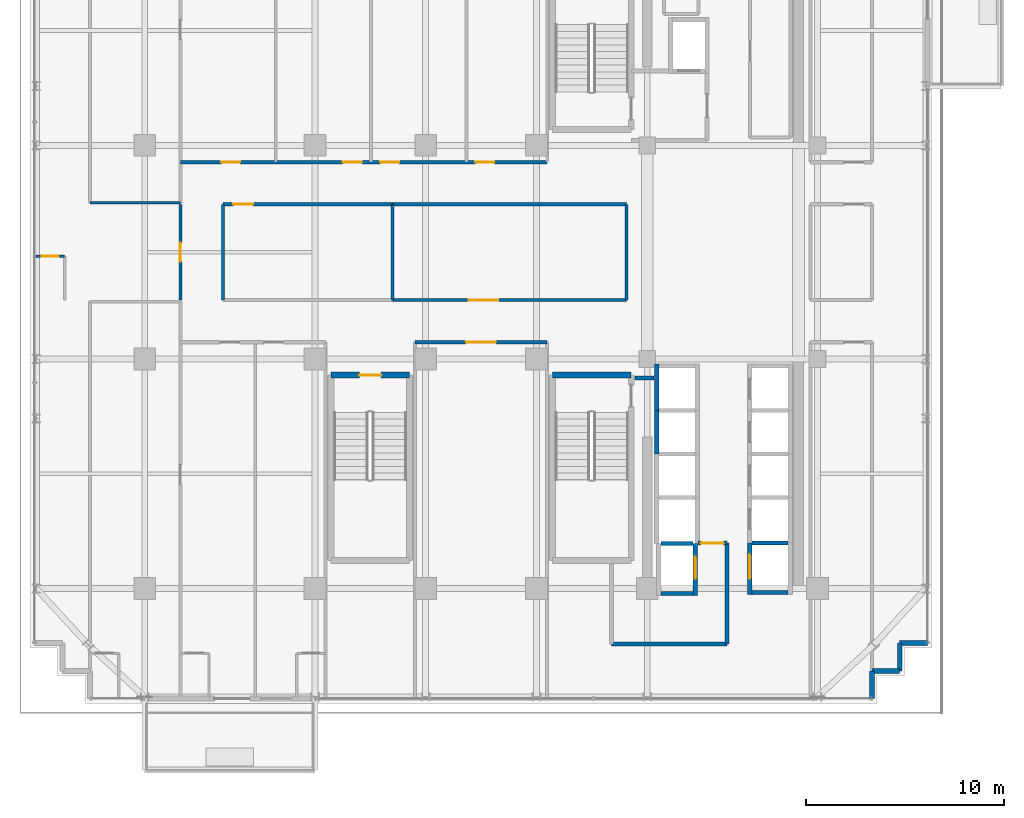
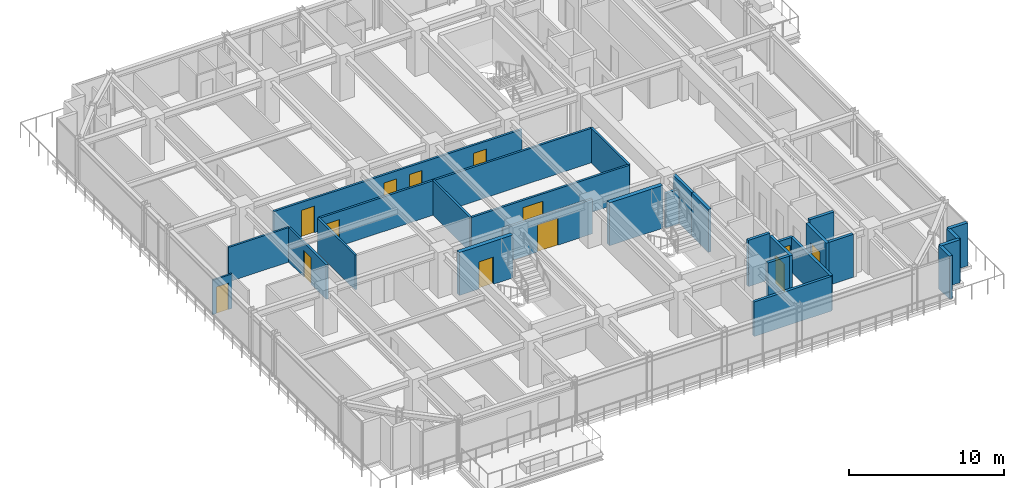
# One storey, part 26 of 33: 29 walls, 13 doors, 13 openings.
"""IFC4 building model written with IfcOpenShell, lengths in metres."""

from ifc_helpers import new_model, si_unit, direction, frame, frame_2d, origin, place, context, subcontext, project, spatial, rectangle, extrude, source, transform, mapped, material, layer, layer_set, type_object, element, fill, save


model = new_model("IFC4")

# Units and contexts
model_context = context("Model", 3, precision=1e-05, world=origin(), true_north=direction((0.0, 1.0)))
body_context = subcontext(model_context, "Body", "Model", "MODEL_VIEW")
ifc_project = project(units=[si_unit("LENGTHUNIT", "METRE"), si_unit("AREAUNIT", "SQUARE_METRE"), si_unit("VOLUMEUNIT", "CUBIC_METRE"), si_unit("PLANEANGLEUNIT", "RADIAN"), si_unit("MASSUNIT", "GRAM", prefix="KILO")], contexts=[model_context])

# Site, building, storey
site_placement = place(None, origin())
site = spatial("IfcSite", under=ifc_project, at=site_placement, CompositionType="ELEMENT")
building_placement = place(site_placement, origin())
building = spatial("IfcBuilding", under=site, at=building_placement, Name="Nahalor Promenade Grand Hotel", CompositionType="ELEMENT")
storey_placement = place(building_placement, frame((0.0, 0.0, 149.0)))
storey = spatial("IfcBuildingStorey", under=building, at=storey_placement, Name="L37", CompositionType="ELEMENT", Elevation=149.0)

# Wall
ifc_material_1 = material(Name="Concrete B-50 (C40/50)", Category="concrete")
ifc_layer_1 = layer(ifc_material_1, 0.300048828125)
ifc_layer_set_1 = layer_set([ifc_layer_1], Name="Concrete B-50 (C40/50)")
wall_type_1 = type_object("IfcWallType", Name="Wall-ShaftShear-300", PredefinedType="SHEAR", material=ifc_layer_set_1)
shared_shape_1 = source(origin(), body_context, "Body", "SweptSolid", [
    extrude(rectangle(XDim=3.97998046875, YDim=0.300048828125, at=frame_2d((1.989990234375, 0.0))), origin(), (0.0, 0.0, 1.0), 3.389892578125),
])
wall_1_placement = place(storey_placement, frame((3.610107421875, -6.2099609375, 0.0), z_axis=(0.0, 0.0, 1.0), x_axis=(1.0, 0.0, 0.0)))
element("IfcWall", 1, at=wall_1_placement, inside=storey, type_object=wall_type_1, Name="L37 Exit Stair ST2 Shaft Wall N", PredefinedType="SHEAR", context=body_context, shape_type="MappedRepresentation", body=[
    mapped(shared_shape_1, transform((0.0, 0.0, 0.0), scale=1.0)),
])

# Wall, opening, door
wall_2_placement = place(storey_placement, frame((-7.590087890625, -6.2099609375, 0.0), z_axis=(0.0, 0.0, 1.0), x_axis=(1.0, 0.0, 0.0)))
wall_2 = element("IfcWall", 2, at=wall_2_placement, inside=storey, type_object=wall_type_1, Name="L37 Exit Stair ST3 Shaft Wall N", PredefinedType="SHEAR", context=body_context, shape_type="MappedRepresentation", body=[
    mapped(shared_shape_1, transform((0.0, 0.0, 0.0), scale=1.0)),
])
opening_1_placement = place(wall_2_placement, frame((1.43994140625, 0.0, 0.0)))
opening_1 = element("IfcOpeningElement", 3, at=opening_1_placement, cuts=wall_2, Name="Opening D-ST1", PredefinedType="OPENING", context=body_context, shape_type="SweptSolid", body=[
    extrude(rectangle(XDim=1.10009765625, YDim=2.14990234375, at=frame_2d((0.550048828125, 1.074951171875))), frame((0.0, 0.159912109375, 0.0), z_axis=(0.0, -1.0, 0.0), x_axis=(1.0, 0.0, 0.0)), (0.0, 0.0, 1.0), 0.320068359375),
])
ifc_material_2 = material(Name="Steel S355JR", Category="steel")
door_type_1 = type_object("IfcDoorType", Name="Door-StairFire-1100", OperationType="NOTDEFINED", PredefinedType="DOOR", material=ifc_material_2)
shared_shape_2 = source(origin(), body_context, "Body", "SweptSolid", [
    extrude(rectangle(XDim=1.10009765625, YDim=2.14990234375, at=frame_2d((0.550048828125, 1.074951171875))), frame((0.0, 0.02490234375, 0.0), z_axis=(0.0, -1.0, 0.0), x_axis=(1.0, 0.0, 0.0)), (0.0, 0.0, 1.0), 0.050048828125),
])
door_1_placement = place(opening_1_placement, frame((1.10009765625, 0.0, 0.0), z_axis=(0.0, 0.0, 1.0), x_axis=(-1.0, 0.0, 0.0)))
door_1 = element("IfcDoor", 4, at=door_1_placement, inside=storey, type_object=door_type_1, Name="DR-STAIR-ST3-L37", OperationType="SINGLE_SWING_RIGHT", OverallHeight=2.14990234375, OverallWidth=1.10009765625, PredefinedType="DOOR", context=body_context, shape_type="MappedRepresentation", body=[
    mapped(shared_shape_2, transform((0.0, 0.0, 0.0), scale=1.0)),
])
fill(opening_1, door_1)

# Walls
ifc_layer_2 = layer(ifc_material_1, 0.219970703125)
ifc_layer_set_2 = layer_set([ifc_layer_2], Name="Concrete B-50 (C40/50)")
wall_type_2 = type_object("IfcWallType", Name="Wall-LiftShaft-220", PredefinedType="SHEAR", material=ifc_layer_set_2)
shared_shape_3 = source(origin(), body_context, "Body", "SweptSolid", [
    extrude(rectangle(XDim=1.820068359375, YDim=0.219970703125, at=frame_2d((0.91015625, 0.0))), origin(), (0.0, 0.0, 1.0), 3.64990234375),
])
wall_3_placement = place(storey_placement, frame((13.68994140625, -14.699951171875, 0.0), z_axis=(0.0, 0.0, 1.0), x_axis=(1.0, 0.0, 0.0)))
element("IfcWall", 5, at=wall_3_placement, inside=storey, type_object=wall_type_2, Name="L37 Lift SV2 Hoistway Wall N", PredefinedType="SHEAR", context=body_context, shape_type="MappedRepresentation", body=[
    mapped(shared_shape_3, transform((0.0, 0.0, 0.0), scale=1.0)),
])
shared_shape_4 = source(origin(), body_context, "Body", "SweptSolid", [
    extrude(rectangle(XDim=2.360107421875, YDim=0.219970703125, at=frame_2d((1.18017578125, 0.0))), origin(), (0.0, 0.0, 1.0), 3.389892578125),
])
wall_4_placement = place(storey_placement, frame((8.8798828125, -8.0, 0.0), z_axis=(0.0, 0.0, 1.0), x_axis=(0.0, 1.0, 0.0)))
element("IfcWall", 6, at=wall_4_placement, inside=storey, type_object=wall_type_2, Name="L37 Lift PL9 Hoistway Wall W", PredefinedType="SHEAR", context=body_context, shape_type="MappedRepresentation", body=[
    mapped(shared_shape_4, transform((0.0, 0.0, 0.0), scale=1.0)),
])
shared_shape_5 = source(origin(), body_context, "Body", "SweptSolid", [
    extrude(rectangle(XDim=1.820068359375, YDim=0.219970703125, at=frame_2d((0.91015625, 0.0))), origin(), (0.0, 0.0, 1.0), 3.389892578125),
])
wall_5_placement = place(storey_placement, frame((13.68994140625, -17.199951171875, 0.0), z_axis=(0.0, 0.0, 1.0), x_axis=(1.0, 0.0, 0.0)))
element("IfcWall", 7, at=wall_5_placement, inside=storey, type_object=wall_type_2, Name="L37 Lift SV2 Hoistway Wall S", PredefinedType="SHEAR", context=body_context, shape_type="MappedRepresentation", body=[
    mapped(shared_shape_5, transform((0.0, 0.0, 0.0), scale=1.0)),
])
shared_shape_6 = source(origin(), body_context, "Body", "SweptSolid", [
    extrude(rectangle(XDim=2.199951171875, YDim=0.219970703125, at=frame_2d((1.10009765625, 0.0))), origin(), (0.0, 0.0, 1.0), 3.389892578125),
])
wall_6_placement = place(storey_placement, frame((8.8798828125, -10.199951171875, 0.0), z_axis=(0.0, 0.0, 1.0), x_axis=(0.0, 1.0, 0.0)))
element("IfcWall", 8, at=wall_6_placement, inside=storey, type_object=wall_type_2, Name="L37 Lift PL10 Hoistway Wall W", PredefinedType="SHEAR", context=body_context, shape_type="MappedRepresentation", body=[
    mapped(shared_shape_6, transform((0.0, 0.0, 0.0), scale=1.0)),
])
shared_shape_7 = source(origin(), body_context, "Body", "SweptSolid", [
    extrude(rectangle(XDim=1.619873046875, YDim=0.219970703125, at=frame_2d((0.81005859375, 0.0))), origin(), (0.0, 0.0, 1.0), 3.64990234375),
])
wall_7_placement = place(storey_placement, frame((9.090087890625, -14.72509765625, 0.0), z_axis=(0.0, 0.0, 1.0), x_axis=(1.0, 0.0, 0.0)))
element("IfcWall", 9, at=wall_7_placement, inside=storey, type_object=wall_type_2, Name="L37 Lift FL2 Hoistway Wall N", PredefinedType="SHEAR", context=body_context, shape_type="MappedRepresentation", body=[
    mapped(shared_shape_7, transform((0.0, 0.0, 0.0), scale=1.0)),
])

# Wall, opening, door
shared_shape_8 = source(origin(), body_context, "Body", "SweptSolid", [
    extrude(rectangle(XDim=2.635009765625, YDim=0.219970703125, at=frame_2d((1.3173828125, 0.0))), origin(), (0.0, 0.0, 1.0), 3.389892578125),
])
wall_8_placement = place(storey_placement, frame((10.820068359375, -17.360107421875, 0.0), z_axis=(0.0, 0.0, 1.0), x_axis=(0.0, 1.0, 0.0)))
wall_8 = element("IfcWall", 10, at=wall_8_placement, inside=storey, type_object=wall_type_2, Name="L37 Lift FL2 Hoistway Wall E", PredefinedType="SHEAR", context=body_context, shape_type="MappedRepresentation", body=[
    mapped(shared_shape_8, transform((0.0, 0.0, 0.0), scale=1.0)),
])
opening_2_placement = place(wall_8_placement, frame((0.860107421875, 0.0, 0.0)))
opening_2 = element("IfcOpeningElement", 11, at=opening_2_placement, cuts=wall_8, Name="Opening LD-02", PredefinedType="OPENING", context=body_context, shape_type="SweptSolid", body=[
    extrude(rectangle(XDim=1.10009765625, YDim=2.199951171875, at=frame_2d((0.550048828125, 1.10009765625))), frame((0.0, 0.119873046875, 0.0), z_axis=(0.0, -1.0, 0.0), x_axis=(1.0, 0.0, 0.0)), (0.0, 0.0, 1.0), 0.239990234375),
])
door_type_2 = type_object("IfcDoorType", Name="Door-LiftFF-1100", OperationType="DOUBLE_DOOR_SLIDING", PredefinedType="DOOR", material=ifc_material_2)
shared_shape_9 = source(origin(), body_context, "Body", "SweptSolid", [
    extrude(rectangle(XDim=1.10009765625, YDim=2.199951171875, at=frame_2d((0.550048828125, 1.10009765625))), frame((0.0, 0.02490234375, 0.0), z_axis=(0.0, -1.0, 0.0), x_axis=(1.0, 0.0, 0.0)), (0.0, 0.0, 1.0), 0.050048828125),
])
door_2_placement = place(opening_2_placement, frame((1.10009765625, 0.0, 0.0), z_axis=(0.0, 0.0, 1.0), x_axis=(-1.0, 0.0, 0.0)))
door_2 = element("IfcDoor", 12, at=door_2_placement, inside=storey, type_object=door_type_2, Name="DR-LIFT-FL2-L37", OperationType="DOUBLE_DOOR_SLIDING", OverallHeight=2.199951171875, OverallWidth=1.10009765625, PredefinedType="DOOR", context=body_context, shape_type="MappedRepresentation", body=[
    mapped(shared_shape_9, transform((0.0, 0.0, 0.0), scale=1.0)),
])
fill(opening_2, door_2)

# Wall
shared_shape_10 = source(origin(), body_context, "Body", "SweptSolid", [
    extrude(rectangle(XDim=1.619873046875, YDim=0.219970703125, at=frame_2d((0.81005859375, 0.0))), origin(), (0.0, 0.0, 1.0), 3.389892578125),
])
wall_9_placement = place(storey_placement, frame((9.090087890625, -17.25, 0.0), z_axis=(0.0, 0.0, 1.0), x_axis=(1.0, 0.0, 0.0)))
element("IfcWall", 13, at=wall_9_placement, inside=storey, type_object=wall_type_2, Name="L37 Lift FL2 Hoistway Wall S", PredefinedType="SHEAR", context=body_context, shape_type="MappedRepresentation", body=[
    mapped(shared_shape_10, transform((0.0, 0.0, 0.0), scale=1.0)),
])

# Wall, opening, door
shared_shape_11 = source(origin(), body_context, "Body", "SweptSolid", [
    extrude(rectangle(XDim=2.610107421875, YDim=0.219970703125, at=frame_2d((1.30517578125, 0.0))), origin(), (0.0, 0.0, 1.0), 3.389892578125),
])
wall_10_placement = place(storey_placement, frame((13.580078125, -17.31005859375, 0.0), z_axis=(0.0, 0.0, 1.0), x_axis=(0.0, 1.0, 0.0)))
wall_10 = element("IfcWall", 14, at=wall_10_placement, inside=storey, type_object=wall_type_2, Name="L37 Lift SV2 Hoistway Wall W", PredefinedType="SHEAR", context=body_context, shape_type="MappedRepresentation", body=[
    mapped(shared_shape_11, transform((0.0, 0.0, 0.0), scale=1.0)),
])
opening_3_placement = place(wall_10_placement, frame((0.81005859375, 0.0, 0.0)))
opening_3 = element("IfcOpeningElement", 15, at=opening_3_placement, cuts=wall_10, Name="Opening LD-03", PredefinedType="OPENING", context=body_context, shape_type="SweptSolid", body=[
    extrude(rectangle(XDim=1.199951171875, YDim=2.199951171875, at=frame_2d((0.60009765625, 1.10009765625))), frame((0.0, 0.119873046875, 0.0), z_axis=(0.0, -1.0, 0.0), x_axis=(1.0, 0.0, 0.0)), (0.0, 0.0, 1.0), 0.239990234375),
])
door_type_3 = type_object("IfcDoorType", Name="Door-LiftService-1200", OperationType="DOUBLE_DOOR_SLIDING", PredefinedType="DOOR", material=ifc_material_2)
shared_shape_12 = source(origin(), body_context, "Body", "SweptSolid", [
    extrude(rectangle(XDim=1.199951171875, YDim=2.199951171875, at=frame_2d((0.60009765625, 1.10009765625))), frame((0.0, 0.02490234375, 0.0), z_axis=(0.0, -1.0, 0.0), x_axis=(1.0, 0.0, 0.0)), (0.0, 0.0, 1.0), 0.050048828125),
])
door_3_placement = place(opening_3_placement, origin())
door_3 = element("IfcDoor", 16, at=door_3_placement, inside=storey, type_object=door_type_3, Name="DR-LIFT-SV2-L37", OperationType="DOUBLE_DOOR_SLIDING", OverallHeight=2.199951171875, OverallWidth=1.199951171875, PredefinedType="DOOR", context=body_context, shape_type="MappedRepresentation", body=[
    mapped(shared_shape_12, transform((0.0, 0.0, 0.0), scale=1.0)),
])
fill(opening_3, door_3)

# Walls
ifc_material_3 = material(Name="Concrete B-40 (C32/40)", Category="concrete")
ifc_layer_3 = layer(ifc_material_3, 0.25)
ifc_layer_set_3 = layer_set([ifc_layer_3], Name="Concrete B-40 (C32/40)")
wall_type_3 = type_object("IfcWallType", Name="Wall-BronzePier-250", PredefinedType="STANDARD", material=ifc_layer_set_3)
shared_shape_13 = source(origin(), body_context, "Body", "SweptSolid", [
    extrude(rectangle(XDim=1.400146484375, YDim=0.25, at=frame_2d((0.7001953125, 0.0))), origin(), (0.0, 0.0, 1.0), 3.389892578125),
])
for number, where, z_axis, x_axis, name in (
    (17, (19.760009765625, -22.56005859375, 0.0), (0.0, 0.0, 1.0), (0.0, 1.0, 0.0), "W-L37-SR-01"),
    (18, (21.159912109375, -19.760009765625, 0.0), (0.0, 0.0, 1.0), (1.0, 0.0, 0.0), "W-L37-SR-04"),
):
    element("IfcWall", number, at=place(storey_placement, frame(where, z_axis=z_axis, x_axis=x_axis)), inside=storey, type_object=wall_type_3, Name=name, PredefinedType="STANDARD", context=body_context, shape_type="MappedRepresentation", body=[
        mapped(shared_shape_13, transform((0.0, 0.0, 0.0), scale=1.0)),
    ])
shared_shape_14 = source(origin(), body_context, "Body", "SweptSolid", [
    extrude(rectangle(XDim=1.39990234375, YDim=0.25, at=frame_2d((0.699951171875, 0.0))), origin(), (0.0, 0.0, 1.0), 3.389892578125),
])
for number, where, z_axis, x_axis, name in (
    (19, (19.760009765625, -21.159912109375, 0.0), (0.0, 0.0, 1.0), (1.0, 0.0, 0.0), "W-L37-SR-02"),
    (20, (21.159912109375, -21.159912109375, 0.0), (0.0, 0.0, 1.0), (0.0, 1.0, 0.0), "W-L37-SR-03"),
):
    element("IfcWall", number, at=place(storey_placement, frame(where, z_axis=z_axis, x_axis=x_axis)), inside=storey, type_object=wall_type_3, Name=name, PredefinedType="STANDARD", context=body_context, shape_type="MappedRepresentation", body=[
        mapped(shared_shape_14, transform((0.0, 0.0, 0.0), scale=1.0)),
    ])
ifc_layer_4 = layer(ifc_material_3, 0.199951171875)
ifc_layer_set_4 = layer_set([ifc_layer_4], Name="Concrete B-40 (C32/40)")
wall_type_4 = type_object("IfcWallType", Name="Wall-PartFire-200", PredefinedType="PARTITIONING", material=ifc_layer_set_4)
shared_shape_15 = source(origin(), body_context, "Body", "SweptSolid", [
    extrude(rectangle(XDim=5.81982421875, YDim=0.199951171875, at=frame_2d((2.909912109375, 0.0))), origin(), (0.0, 0.0, 1.0), 2.72998046875),
])
wall_11_placement = place(storey_placement, frame((6.60009765625, -19.800048828125, 0.0), z_axis=(0.0, 0.0, 1.0), x_axis=(1.0, 0.0, 0.0)))
element("IfcWall", 21, at=wall_11_placement, inside=storey, type_object=wall_type_4, Name="W-L37-FF2-S1", PredefinedType="PARTITIONING", context=body_context, shape_type="MappedRepresentation", body=[
    mapped(shared_shape_15, transform((0.0, 0.0, 0.0), scale=1.0)),
])
shared_shape_16 = source(origin(), body_context, "Body", "SweptSolid", [
    extrude(rectangle(XDim=5.10009765625, YDim=0.199951171875, at=frame_2d((2.550048828125, 0.0))), origin(), (0.0, 0.0, 1.0), 2.72998046875),
])
wall_12_placement = place(storey_placement, frame((12.419921875, -19.800048828125, 0.0), z_axis=(0.0, 0.0, 1.0), x_axis=(0.0, 1.0, 0.0)))
element("IfcWall", 22, at=wall_12_placement, inside=storey, type_object=wall_type_4, Name="W-L37-FF2-E", PredefinedType="PARTITIONING", context=body_context, shape_type="MappedRepresentation", body=[
    mapped(shared_shape_16, transform((0.0, 0.0, 0.0), scale=1.0)),
])

# Wall, opening, door
shared_shape_17 = source(origin(), body_context, "Body", "SweptSolid", [
    extrude(rectangle(XDim=1.4599609375, YDim=0.199951171875, at=frame_2d((0.72998046875, 0.0))), origin(), (0.0, 0.0, 1.0), 2.72998046875),
])
wall_13_placement = place(storey_placement, frame((10.9599609375, -14.699951171875, 0.0), z_axis=(0.0, 0.0, 1.0), x_axis=(1.0, 0.0, 0.0)))
wall_13 = element("IfcWall", 23, at=wall_13_placement, inside=storey, type_object=wall_type_4, Name="W-L37-FF2-N1", PredefinedType="PARTITIONING", context=body_context, shape_type="MappedRepresentation", body=[
    mapped(shared_shape_17, transform((0.0, 0.0, 0.0), scale=1.0)),
])
opening_4_placement = place(wall_13_placement, frame((0.14501953125, 0.0, 0.0)))
opening_4 = element("IfcOpeningElement", 24, at=opening_4_placement, cuts=wall_13, Name="Opening D-FF1", PredefinedType="OPENING", context=body_context, shape_type="SweptSolid", body=[
    extrude(rectangle(XDim=1.14990234375, YDim=2.14990234375, at=frame_2d((0.574951171875, 1.074951171875))), frame((0.0, 0.10986328125, 0.0), z_axis=(0.0, -1.0, 0.0), x_axis=(1.0, 0.0, 0.0)), (0.0, 0.0, 1.0), 0.219970703125),
])
door_type_4 = type_object("IfcDoorType", Name="Door-FFLobby-1150", OperationType="NOTDEFINED", PredefinedType="DOOR", material=ifc_material_2)
shared_shape_18 = source(origin(), body_context, "Body", "SweptSolid", [
    extrude(rectangle(XDim=1.14990234375, YDim=2.14990234375, at=frame_2d((0.574951171875, 1.074951171875))), frame((0.0, 0.02490234375, 0.0), z_axis=(0.0, -1.0, 0.0), x_axis=(1.0, 0.0, 0.0)), (0.0, 0.0, 1.0), 0.050048828125),
])
door_4_placement = place(opening_4_placement, origin())
door_4 = element("IfcDoor", 25, at=door_4_placement, inside=storey, type_object=door_type_4, Name="DR-L37-FFL2", OperationType="SINGLE_SWING_RIGHT", OverallHeight=2.14990234375, OverallWidth=1.14990234375, PredefinedType="DOOR", context=body_context, shape_type="MappedRepresentation", body=[
    mapped(shared_shape_18, transform((0.0, 0.0, 0.0), scale=1.0)),
])
fill(opening_4, door_4)

# Walls
shared_shape_19 = source(origin(), body_context, "Body", "SweptSolid", [
    extrude(rectangle(XDim=0.969970703125, YDim=0.199951171875, at=frame_2d((0.48486328125, 0.0))), origin(), (0.0, 0.0, 1.0), 2.72998046875),
])
wall_14_placement = place(storey_placement, frame((7.77001953125, -6.35009765625, 0.0), z_axis=(0.0, 0.0, 1.0), x_axis=(1.0, 0.0, 0.0)))
element("IfcWall", 26, at=wall_14_placement, inside=storey, type_object=wall_type_4, Name="W-L37-FF2-N2", PredefinedType="PARTITIONING", context=body_context, shape_type="MappedRepresentation", body=[
    mapped(shared_shape_19, transform((0.0, 0.0, 0.0), scale=1.0)),
])
ifc_material_4 = material(Name="Acoustic Mineral Gypsum", Category="gypsum")
ifc_layer_5 = layer(ifc_material_4, 0.139892578125)
ifc_layer_set_5 = layer_set([ifc_layer_5], Name="Acoustic Mineral Gypsum")
wall_type_5 = type_object("IfcWallType", Name="Wall-PartSuite-140", PredefinedType="PARTITIONING", material=ifc_layer_set_5)
shared_shape_20 = source(origin(), body_context, "Body", "SweptSolid", [
    extrude(rectangle(XDim=4.56005859375, YDim=0.139892578125, at=frame_2d((2.280029296875, 0.0))), origin(), (0.0, 0.0, 1.0), 2.72998046875),
])
wall_15_placement = place(storey_placement, frame((-19.760009765625, 2.5, 0.0), z_axis=(0.0, 0.0, 1.0), x_axis=(1.0, 0.0, 0.0)))
element("IfcWall", 27, at=wall_15_placement, inside=storey, type_object=wall_type_5, Name="W-L37-ZNW-S", PredefinedType="PARTITIONING", context=body_context, shape_type="MappedRepresentation", body=[
    mapped(shared_shape_20, transform((0.0, 0.0, 0.0), scale=1.0)),
])

# Wall, opening, door
ifc_layer_6 = layer(ifc_material_4, 0.1201171875)
ifc_layer_set_6 = layer_set([ifc_layer_6], Name="Acoustic Mineral Gypsum")
wall_type_6 = type_object("IfcWallType", Name="Wall-PartBath-120", PredefinedType="PARTITIONING", material=ifc_layer_set_6)
shared_shape_21 = source(origin(), body_context, "Body", "SweptSolid", [
    extrude(rectangle(XDim=1.449951171875, YDim=0.1201171875, at=frame_2d((0.72509765625, 0.0))), origin(), (0.0, 0.0, 1.0), 2.72998046875),
])
wall_16_placement = place(storey_placement, frame((-22.5, -0.199951171875, 0.0), z_axis=(0.0, 0.0, 1.0), x_axis=(1.0, 0.0, 0.0)))
wall_16 = element("IfcWall", 28, at=wall_16_placement, inside=storey, type_object=wall_type_6, Name="W-L37-W1-BH", PredefinedType="PARTITIONING", context=body_context, shape_type="MappedRepresentation", body=[
    mapped(shared_shape_21, transform((0.0, 0.0, 0.0), scale=1.0)),
])
opening_5_placement = place(wall_16_placement, frame((0.284912109375, 0.0, 0.0)))
opening_5 = element("IfcOpeningElement", 29, at=opening_5_placement, cuts=wall_16, Name="Opening D-03", PredefinedType="OPENING", context=body_context, shape_type="SweptSolid", body=[
    extrude(rectangle(XDim=0.8798828125, YDim=2.10009765625, at=frame_2d((0.43994140625, 1.050048828125))), frame((0.0, 0.070068359375, 0.0), z_axis=(0.0, -1.0, 0.0), x_axis=(1.0, 0.0, 0.0)), (0.0, 0.0, 1.0), 0.14013671875),
])
ifc_material_5 = material(Name="Fire-Rated Timber Composite", Category="wood")
door_type_5 = type_object("IfcDoorType", Name="Door-BathSwing-880", OperationType="NOTDEFINED", PredefinedType="DOOR", material=ifc_material_5)
shared_shape_22 = source(origin(), body_context, "Body", "SweptSolid", [
    extrude(rectangle(XDim=0.8798828125, YDim=2.10009765625, at=frame_2d((0.43994140625, 1.050048828125))), frame((0.0, 0.02490234375, 0.0), z_axis=(0.0, -1.0, 0.0), x_axis=(1.0, 0.0, 0.0)), (0.0, 0.0, 1.0), 0.050048828125),
])
door_5_placement = place(opening_5_placement, frame((0.8798828125, 0.0, 0.0), z_axis=(0.0, 0.0, 1.0), x_axis=(-1.0, 0.0, 0.0)))
door_5 = element("IfcDoor", 30, at=door_5_placement, inside=storey, type_object=door_type_5, Name="DR-L37-W1-BATH", OperationType="SINGLE_SWING_LEFT", OverallHeight=2.10009765625, OverallWidth=0.8798828125, PredefinedType="DOOR", context=body_context, shape_type="MappedRepresentation", body=[
    mapped(shared_shape_22, transform((0.0, 0.0, 0.0), scale=1.0)),
])
fill(opening_5, door_5)

# Wall, openings, doors
ifc_layer_7 = layer(ifc_material_4, 0.159912109375)
ifc_layer_set_7 = layer_set([ifc_layer_7], Name="Acoustic Mineral Gypsum")
wall_type_7 = type_object("IfcWallType", Name="Wall-PartCorridor-160", PredefinedType="PARTITIONING", material=ifc_layer_set_7)
shared_shape_23 = source(origin(), body_context, "Body", "SweptSolid", [
    extrude(rectangle(XDim=18.5400390625, YDim=0.159912109375, at=frame_2d((9.27001953125, 0.0))), origin(), (0.0, 0.0, 1.0), 2.72998046875),
])
wall_17_placement = place(storey_placement, frame((-15.199951171875, 4.550048828125, 0.0), z_axis=(0.0, 0.0, 1.0), x_axis=(1.0, 0.0, 0.0)))
wall_17 = element("IfcWall", 31, at=wall_17_placement, inside=storey, type_object=wall_type_7, Name="W-L37-CORR-N", PredefinedType="PARTITIONING", context=body_context, shape_type="MappedRepresentation", body=[
    mapped(shared_shape_23, transform((0.0, 0.0, 0.0), scale=1.0)),
])
opening_6_placement = place(wall_17_placement, frame((2.068115234375, 0.0, 0.0)))
opening_6 = element("IfcOpeningElement", 32, at=opening_6_placement, cuts=wall_17, Name="Opening D-01", PredefinedType="OPENING", context=body_context, shape_type="SweptSolid", body=[
    extrude(rectangle(XDim=0.949951171875, YDim=2.10009765625, at=frame_2d((0.47509765625, 1.050048828125))), frame((0.0, 0.08984375, 0.0), z_axis=(0.0, -1.0, 0.0), x_axis=(1.0, 0.0, 0.0)), (0.0, 0.0, 1.0), 0.179931640625),
])
opening_7_placement = place(wall_17_placement, frame((8.218994140625, 0.0, 0.0)))
opening_7 = element("IfcOpeningElement", 33, at=opening_7_placement, cuts=wall_17, Name="Opening D-01", PredefinedType="OPENING", context=body_context, shape_type="SweptSolid", body=[
    extrude(rectangle(XDim=0.949951171875, YDim=2.10009765625, at=frame_2d((0.47509765625, 1.050048828125))), frame((0.0, 0.08984375, 0.0), z_axis=(0.0, -1.0, 0.0), x_axis=(1.0, 0.0, 0.0)), (0.0, 0.0, 1.0), 0.179931640625),
])
opening_8_placement = place(wall_17_placement, frame((10.113037109375, 0.0, 0.0)))
opening_8 = element("IfcOpeningElement", 34, at=opening_8_placement, cuts=wall_17, Name="Opening D-01", PredefinedType="OPENING", context=body_context, shape_type="SweptSolid", body=[
    extrude(rectangle(XDim=0.949951171875, YDim=2.10009765625, at=frame_2d((0.47509765625, 1.050048828125))), frame((0.0, 0.08984375, 0.0), z_axis=(0.0, -1.0, 0.0), x_axis=(1.0, 0.0, 0.0)), (0.0, 0.0, 1.0), 0.179931640625),
])
opening_9_placement = place(wall_17_placement, frame((14.916015625, 0.0, 0.0)))
opening_9 = element("IfcOpeningElement", 35, at=opening_9_placement, cuts=wall_17, Name="Opening D-01", PredefinedType="OPENING", context=body_context, shape_type="SweptSolid", body=[
    extrude(rectangle(XDim=0.949951171875, YDim=2.10009765625, at=frame_2d((0.47509765625, 1.050048828125))), frame((0.0, 0.08984375, 0.0), z_axis=(0.0, -1.0, 0.0), x_axis=(1.0, 0.0, 0.0)), (0.0, 0.0, 1.0), 0.179931640625),
])
door_type_6 = type_object("IfcDoorType", Name="Door-GuestEntry-950", OperationType="NOTDEFINED", PredefinedType="DOOR", material=ifc_material_5)
shared_shape_24 = source(origin(), body_context, "Body", "SweptSolid", [
    extrude(rectangle(XDim=0.949951171875, YDim=2.10009765625, at=frame_2d((0.47509765625, 1.050048828125))), frame((0.0, 0.02490234375, 0.0), z_axis=(0.0, -1.0, 0.0), x_axis=(1.0, 0.0, 0.0)), (0.0, 0.0, 1.0), 0.050048828125),
])
door_6_placement = place(opening_6_placement, origin())
door_6 = element("IfcDoor", 36, at=door_6_placement, inside=storey, type_object=door_type_6, Name="DR-L37-N1-ENT", OperationType="SINGLE_SWING_RIGHT", OverallHeight=2.10009765625, OverallWidth=0.949951171875, PredefinedType="DOOR", context=body_context, shape_type="MappedRepresentation", body=[
    mapped(shared_shape_24, transform((0.0, 0.0, 0.0), scale=1.0)),
])
fill(opening_6, door_6)
door_7_placement = place(opening_7_placement, origin())
door_7 = element("IfcDoor", 37, at=door_7_placement, inside=storey, type_object=door_type_6, Name="DR-L37-N2-ENT", OperationType="SINGLE_SWING_RIGHT", OverallHeight=2.10009765625, OverallWidth=0.949951171875, PredefinedType="DOOR", context=body_context, shape_type="MappedRepresentation", body=[
    mapped(shared_shape_24, transform((0.0, 0.0, 0.0), scale=1.0)),
])
fill(opening_7, door_7)
door_8_placement = place(opening_8_placement, origin())
door_8 = element("IfcDoor", 38, at=door_8_placement, inside=storey, type_object=door_type_6, Name="DR-L37-N3-ENT", OperationType="SINGLE_SWING_RIGHT", OverallHeight=2.10009765625, OverallWidth=0.949951171875, PredefinedType="DOOR", context=body_context, shape_type="MappedRepresentation", body=[
    mapped(shared_shape_24, transform((0.0, 0.0, 0.0), scale=1.0)),
])
fill(opening_8, door_8)
door_9_placement = place(opening_9_placement, origin())
door_9 = element("IfcDoor", 39, at=door_9_placement, inside=storey, type_object=door_type_6, Name="DR-L37-N4-ENT", OperationType="SINGLE_SWING_RIGHT", OverallHeight=2.10009765625, OverallWidth=0.949951171875, PredefinedType="DOOR", context=body_context, shape_type="MappedRepresentation", body=[
    mapped(shared_shape_24, transform((0.0, 0.0, 0.0), scale=1.0)),
])
fill(opening_9, door_9)

# Wall, opening, door
shared_shape_25 = source(origin(), body_context, "Body", "SweptSolid", [
    extrude(rectangle(XDim=6.68017578125, YDim=0.159912109375, at=frame_2d((3.340087890625, 0.0))), origin(), (0.0, 0.0, 1.0), 2.72998046875),
])
wall_18_placement = place(storey_placement, frame((-3.340087890625, -4.550048828125, 0.0), z_axis=(0.0, 0.0, 1.0), x_axis=(1.0, 0.0, 0.0)))
wall_18 = element("IfcWall", 40, at=wall_18_placement, inside=storey, type_object=wall_type_7, Name="W-L37-SCB-N", PredefinedType="PARTITIONING", context=body_context, shape_type="MappedRepresentation", body=[
    mapped(shared_shape_25, transform((0.0, 0.0, 0.0), scale=1.0)),
])
opening_10_placement = place(wall_18_placement, frame((2.590087890625, 0.0, 0.0)))
opening_10 = element("IfcOpeningElement", 41, at=opening_10_placement, cuts=wall_18, Name="Opening D-02", PredefinedType="OPENING", context=body_context, shape_type="SweptSolid", body=[
    extrude(rectangle(XDim=1.5, YDim=2.14990234375, at=frame_2d((0.75, 1.074951171875))), frame((0.0, 0.08984375, 0.0), z_axis=(0.0, -1.0, 0.0), x_axis=(1.0, 0.0, 0.0)), (0.0, 0.0, 1.0), 0.179931640625),
])
door_type_7 = type_object("IfcDoorType", Name="Door-SuiteDouble-1500", OperationType="DOUBLE_DOOR_SINGLE_SWING", PredefinedType="DOOR", material=ifc_material_5)
shared_shape_26 = source(origin(), body_context, "Body", "SweptSolid", [
    extrude(rectangle(XDim=1.5, YDim=2.14990234375, at=frame_2d((0.75, 1.074951171875))), frame((0.0, 0.02490234375, 0.0), z_axis=(0.0, -1.0, 0.0), x_axis=(1.0, 0.0, 0.0)), (0.0, 0.0, 1.0), 0.050048828125),
])
door_10_placement = place(opening_10_placement, frame((1.5, 0.0, 0.0), z_axis=(0.0, 0.0, 1.0), x_axis=(-1.0, 0.0, 0.0)))
door_10 = element("IfcDoor", 42, at=door_10_placement, inside=storey, type_object=door_type_7, Name="DR-L37-SCB", OperationType="DOUBLE_DOOR_SINGLE_SWING", OverallHeight=2.14990234375, OverallWidth=1.5, PredefinedType="DOOR", context=body_context, shape_type="MappedRepresentation", body=[
    mapped(shared_shape_26, transform((0.0, 0.0, 0.0), scale=1.0)),
])
fill(opening_10, door_10)

shared_shape_27 = source(origin(), body_context, "Body", "SweptSolid", [
    extrude(rectangle(XDim=4.83984375, YDim=0.159912109375, at=frame_2d((2.419921875, 0.0))), origin(), (0.0, 0.0, 1.0), 2.72998046875),
])
wall_19_placement = place(storey_placement, frame((-15.199951171875, -2.419921875, 0.0), z_axis=(0.0, 0.0, 1.0), x_axis=(0.0, 1.0, 0.0)))
wall_19 = element("IfcWall", 43, at=wall_19_placement, inside=storey, type_object=wall_type_7, Name="W-L37-WEST-E", PredefinedType="PARTITIONING", context=body_context, shape_type="MappedRepresentation", body=[
    mapped(shared_shape_27, transform((0.0, 0.0, 0.0), scale=1.0)),
])
opening_11_placement = place(wall_19_placement, frame((1.945068359375, 0.0, 0.0)))
opening_11 = element("IfcOpeningElement", 44, at=opening_11_placement, cuts=wall_19, Name="Opening D-01", PredefinedType="OPENING", context=body_context, shape_type="SweptSolid", body=[
    extrude(rectangle(XDim=0.949951171875, YDim=2.10009765625, at=frame_2d((0.47509765625, 1.050048828125))), frame((0.0, 0.08984375, 0.0), z_axis=(0.0, -1.0, 0.0), x_axis=(1.0, 0.0, 0.0)), (0.0, 0.0, 1.0), 0.179931640625),
])
door_11_placement = place(opening_11_placement, origin())
door_11 = element("IfcDoor", 45, at=door_11_placement, inside=storey, type_object=door_type_6, Name="DR-L37-W1-ENT", OperationType="SINGLE_SWING_RIGHT", OverallHeight=2.10009765625, OverallWidth=0.949951171875, PredefinedType="DOOR", context=body_context, shape_type="MappedRepresentation", body=[
    mapped(shared_shape_24, transform((0.0, 0.0, 0.0), scale=1.0)),
])
fill(opening_11, door_11)

# Walls
for number, where, z_axis, x_axis, name in (
    (46, (-13.050048828125, -2.419921875, 0.0), (0.0, 0.0, 1.0), (0.0, 1.0, 0.0), "W-L37-CM1-W"),
    (47, (-4.48193359375, -2.419921875, 0.0), (0.0, 0.0, 1.0), (0.0, 1.0, 0.0), "W-L37-CM1-E"),
    (48, (7.35009765625, -2.419921875, 0.0), (0.0, 0.0, 1.0), (0.0, 1.0, 0.0), "W-L37-CM2-E"),
):
    element("IfcWall", number, at=place(storey_placement, frame(where, z_axis=z_axis, x_axis=x_axis)), inside=storey, type_object=wall_type_7, Name=name, PredefinedType="PARTITIONING", context=body_context, shape_type="MappedRepresentation", body=[
        mapped(shared_shape_27, transform((0.0, 0.0, 0.0), scale=1.0)),
    ])

# Wall, opening, door
shared_shape_28 = source(origin(), body_context, "Body", "SweptSolid", [
    extrude(rectangle(XDim=8.568115234375, YDim=0.159912109375, at=frame_2d((4.2841796875, 0.0))), origin(), (0.0, 0.0, 1.0), 2.72998046875),
])
wall_20_placement = place(storey_placement, frame((-13.050048828125, 2.419921875, 0.0), z_axis=(0.0, 0.0, 1.0), x_axis=(1.0, 0.0, 0.0)))
wall_20 = element("IfcWall", 49, at=wall_20_placement, inside=storey, type_object=wall_type_7, Name="W-L37-CM1-N", PredefinedType="PARTITIONING", context=body_context, shape_type="MappedRepresentation", body=[
    mapped(shared_shape_28, transform((0.0, 0.0, 0.0), scale=1.0)),
])
opening_12_placement = place(wall_20_placement, frame((0.528076171875, 0.0, 0.0)))
opening_12 = element("IfcOpeningElement", 50, at=opening_12_placement, cuts=wall_20, Name="Opening D-04", PredefinedType="OPENING", context=body_context, shape_type="SweptSolid", body=[
    extrude(rectangle(XDim=1.0, YDim=2.10009765625, at=frame_2d((0.5, 1.050048828125))), frame((0.0, 0.08984375, 0.0), z_axis=(0.0, -1.0, 0.0), x_axis=(1.0, 0.0, 0.0)), (0.0, 0.0, 1.0), 0.179931640625),
])
door_type_8 = type_object("IfcDoorType", Name="Door-ServiceFire-1000", OperationType="NOTDEFINED", PredefinedType="DOOR", material=ifc_material_2)
shared_shape_29 = source(origin(), body_context, "Body", "SweptSolid", [
    extrude(rectangle(XDim=1.0, YDim=2.10009765625, at=frame_2d((0.5, 1.050048828125))), frame((0.0, 0.02490234375, 0.0), z_axis=(0.0, -1.0, 0.0), x_axis=(1.0, 0.0, 0.0)), (0.0, 0.0, 1.0), 0.050048828125),
])
door_12_placement = place(opening_12_placement, frame((1.0, 0.0, 0.0), z_axis=(0.0, 0.0, 1.0), x_axis=(-1.0, 0.0, 0.0)))
door_12 = element("IfcDoor", 51, at=door_12_placement, inside=storey, type_object=door_type_8, Name="DR-L37-CM1", OperationType="SINGLE_SWING_LEFT", OverallHeight=2.10009765625, OverallWidth=1.0, PredefinedType="DOOR", context=body_context, shape_type="MappedRepresentation", body=[
    mapped(shared_shape_29, transform((0.0, 0.0, 0.0), scale=1.0)),
])
fill(opening_12, door_12)

shared_shape_30 = source(origin(), body_context, "Body", "SweptSolid", [
    extrude(rectangle(XDim=11.83203125, YDim=0.159912109375, at=frame_2d((5.916015625, 0.0))), origin(), (0.0, 0.0, 1.0), 2.72998046875),
])
wall_21_placement = place(storey_placement, frame((-4.48193359375, -2.419921875, 0.0), z_axis=(0.0, 0.0, 1.0), x_axis=(1.0, 0.0, 0.0)))
wall_21 = element("IfcWall", 52, at=wall_21_placement, inside=storey, type_object=wall_type_7, Name="W-L37-CM2-S", PredefinedType="PARTITIONING", context=body_context, shape_type="MappedRepresentation", body=[
    mapped(shared_shape_30, transform((0.0, 0.0, 0.0), scale=1.0)),
])
opening_13_placement = place(wall_21_placement, frame((3.85205078125, 0.0, 0.0)))
opening_13 = element("IfcOpeningElement", 53, at=opening_13_placement, cuts=wall_21, Name="Opening D-02", PredefinedType="OPENING", context=body_context, shape_type="SweptSolid", body=[
    extrude(rectangle(XDim=1.5, YDim=2.14990234375, at=frame_2d((0.75, 1.074951171875))), frame((0.0, 0.08984375, 0.0), z_axis=(0.0, -1.0, 0.0), x_axis=(1.0, 0.0, 0.0)), (0.0, 0.0, 1.0), 0.179931640625),
])
door_13_placement = place(opening_13_placement, origin())
door_13 = element("IfcDoor", 54, at=door_13_placement, inside=storey, type_object=door_type_7, Name="DR-L37-CM2", OperationType="DOUBLE_DOOR_SINGLE_SWING", OverallHeight=2.14990234375, OverallWidth=1.5, PredefinedType="DOOR", context=body_context, shape_type="MappedRepresentation", body=[
    mapped(shared_shape_26, transform((0.0, 0.0, 0.0), scale=1.0)),
])
fill(opening_13, door_13)

# Wall
wall_22_placement = place(storey_placement, frame((-4.48193359375, 2.419921875, 0.0), z_axis=(0.0, 0.0, 1.0), x_axis=(1.0, 0.0, 0.0)))
element("IfcWall", 55, at=wall_22_placement, inside=storey, type_object=wall_type_7, Name="W-L37-CM2-N", PredefinedType="PARTITIONING", context=body_context, shape_type="MappedRepresentation", body=[
    mapped(shared_shape_30, transform((0.0, 0.0, 0.0), scale=1.0)),
])

save(model, "model.ifc")
